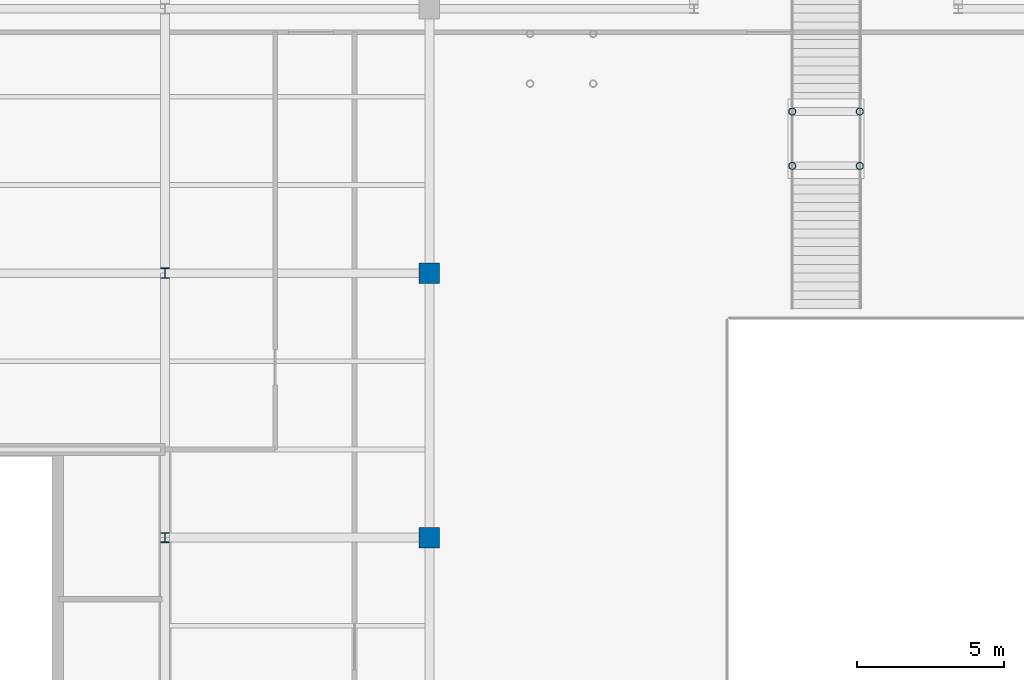
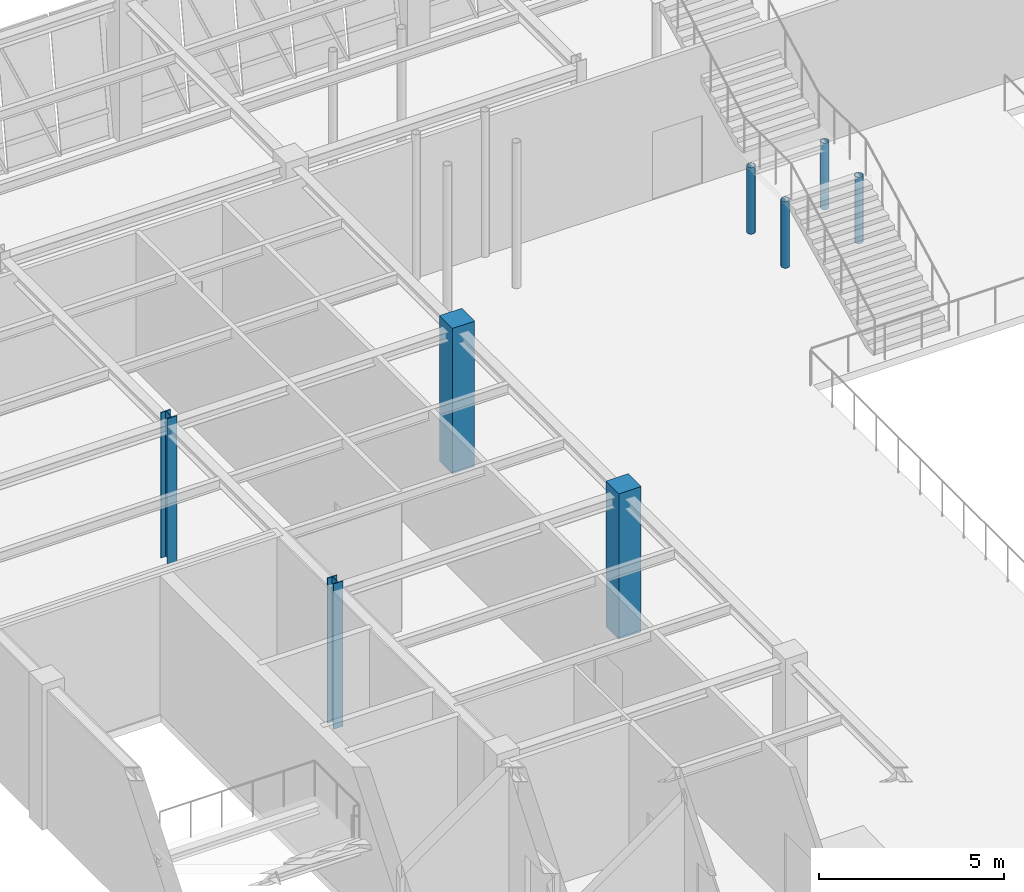
# One storey, part 8 of 98: 8 columns.
"""IFC4 building model written with IfcOpenShell, lengths in metres."""

from ifc_helpers import new_model, si_unit, direction, frame, origin, origin_2d, place, context, subcontext, project, spatial, rectangle, hollow_circle, i_section, extrude, material, material_profile, profile_set, type_object, element, save


model = new_model("IFC4")

# Units and contexts
model_context = context("Model", 3, precision=1e-05, world=origin(), true_north=direction((0.0, 1.0)))
body_context = subcontext(model_context, "Body", "Model", "MODEL_VIEW")
ifc_project = project(units=[si_unit("LENGTHUNIT", "METRE"), si_unit("AREAUNIT", "SQUARE_METRE"), si_unit("VOLUMEUNIT", "CUBIC_METRE"), si_unit("PLANEANGLEUNIT", "RADIAN"), si_unit("MASSUNIT", "GRAM", prefix="KILO")], contexts=[model_context])

# Site, building, storey
site_placement = place(None, origin())
site = spatial("IfcSite", under=ifc_project, at=site_placement, CompositionType="ELEMENT")
building_placement = place(site_placement, origin())
building = spatial("IfcBuilding", under=site, at=building_placement, Name="Lykobir Media Centre", CompositionType="ELEMENT")
storey_placement = place(building_placement, frame((0.0, 0.0, 10.199951171875)))
storey = spatial("IfcBuildingStorey", under=building, at=storey_placement, Name="L02", CompositionType="ELEMENT", Elevation=10.199951171875)

# Columns
ifc_material_1 = material(Name="Concrete C40/50", Category="concrete")
ifc_material_profile_1 = material_profile(ifc_material_1, rectangle(XDim=0.699951171875, YDim=0.699951171875, at=origin_2d()), Name="RC 700x700")
ifc_profile_set_1 = profile_set([ifc_material_profile_1], Name="Concrete C40/50")
column_type_1 = type_object("IfcColumnType", Name="RC-C700", PredefinedType="COLUMN", material=ifc_profile_set_1)
for number, where, z_axis, x_axis, name in (
    (1, (45.0, 81.0, 0.0), (0.0, 0.0, 1.0), (1.0, 0.0, 0.0), "Column COL-L02-0450-0810"),
    (2, (45.0, 90.0, 0.0), (0.0, 0.0, 1.0), (1.0, 0.0, 0.0), "Column COL-L02-0450-0900"),
):
    element("IfcColumn", number, at=place(storey_placement, frame(where, z_axis=z_axis, x_axis=x_axis)), inside=storey, type_object=column_type_1, Name=name, PredefinedType="COLUMN", context=body_context, shape_type="SweptSolid", body=[
        extrude(rectangle(XDim=0.699951171875, YDim=0.699951171875, at=origin_2d()), origin(), (0.0, 0.0, 1.0), 4.800048828125),
    ])
ifc_material_2 = material(Name="Steel S355", Category="steel")
ifc_material_profile_2 = material_profile(ifc_material_2, hollow_circle(Radius=0.122314453125, WallThickness=0.012451171875, at=origin_2d()), Name="CHS 244.5x12.5")
ifc_profile_set_2 = profile_set([ifc_material_profile_2], Name="Steel S355")
column_type_2 = type_object("IfcColumnType", Name="SC-CHS244", PredefinedType="COLUMN", material=ifc_profile_set_2)
for number, where, z_axis, x_axis, name in (
    (3, (57.35009765625, 93.64990234375, 0.0), (0.0, 0.0, 1.0), (1.0, 0.0, 0.0), "Valley stair column L02 3-574-936"),
    (4, (57.35009765625, 95.5, 0.0), (0.0, 0.0, 1.0), (1.0, 0.0, 0.0), "Valley stair column L02 3-574-955"),
    (5, (59.64990234375, 93.64990234375, 0.0), (0.0, 0.0, 1.0), (1.0, 0.0, 0.0), "Valley stair column L02 3-596-936"),
    (6, (59.64990234375, 95.5, 0.0), (0.0, 0.0, 1.0), (1.0, 0.0, 0.0), "Valley stair column L02 3-596-955"),
):
    element("IfcColumn", number, at=place(storey_placement, frame(where, z_axis=z_axis, x_axis=x_axis)), inside=storey, type_object=column_type_2, Name=name, PredefinedType="COLUMN", context=body_context, shape_type="SweptSolid", body=[
        extrude(hollow_circle(Radius=0.122314453125, WallThickness=0.012451171875, at=origin_2d()), origin(), (0.0, 0.0, 1.0), 2.195068359375),
    ])
ifc_material_profile_3 = material_profile(ifc_material_2, i_section(OverallWidth=0.300048828125, OverallDepth=0.340087890625, WebThickness=0.011962890625, FlangeThickness=0.021484375, at=origin_2d()), Name="HEB 340")
ifc_profile_set_3 = profile_set([ifc_material_profile_3], Name="Steel S355")
column_type_3 = type_object("IfcColumnType", Name="SC-HEB340", PredefinedType="COLUMN", material=ifc_profile_set_3)
column_1_placement = place(storey_placement, frame((36.0, 81.0, 0.0), z_axis=(0.0, 0.0, 1.0), x_axis=(1.0, 0.0, 0.0)))
element("IfcColumn", 7, at=column_1_placement, inside=storey, type_object=column_type_3, Name="Column COL-L02-0360-0810", PredefinedType="COLUMN", context=body_context, shape_type="SweptSolid", body=[
    extrude(i_section(OverallWidth=0.300048828125, OverallDepth=0.340087890625, WebThickness=0.011962890625, FlangeThickness=0.021484375, at=origin_2d()), origin(), (0.0, 0.0, 1.0), 4.800048828125),
])
ifc_material_profile_4 = material_profile(ifc_material_2, i_section(OverallWidth=0.300048828125, OverallDepth=0.360107421875, WebThickness=0.012451171875, FlangeThickness=0.0224609375, at=origin_2d()), Name="HEB 360")
ifc_profile_set_4 = profile_set([ifc_material_profile_4], Name="Steel S355")
column_type_4 = type_object("IfcColumnType", Name="SC-HEB360", PredefinedType="COLUMN", material=ifc_profile_set_4)
column_2_placement = place(storey_placement, frame((36.0, 90.0, 0.0), z_axis=(0.0, 0.0, 1.0), x_axis=(1.0, 0.0, 0.0)))
element("IfcColumn", 8, at=column_2_placement, inside=storey, type_object=column_type_4, Name="Column COL-L02-0360-0900", PredefinedType="COLUMN", context=body_context, shape_type="SweptSolid", body=[
    extrude(i_section(OverallWidth=0.300048828125, OverallDepth=0.360107421875, WebThickness=0.012451171875, FlangeThickness=0.0224609375, at=origin_2d()), origin(), (0.0, 0.0, 1.0), 4.800048828125),
])

save(model, "model.ifc")
